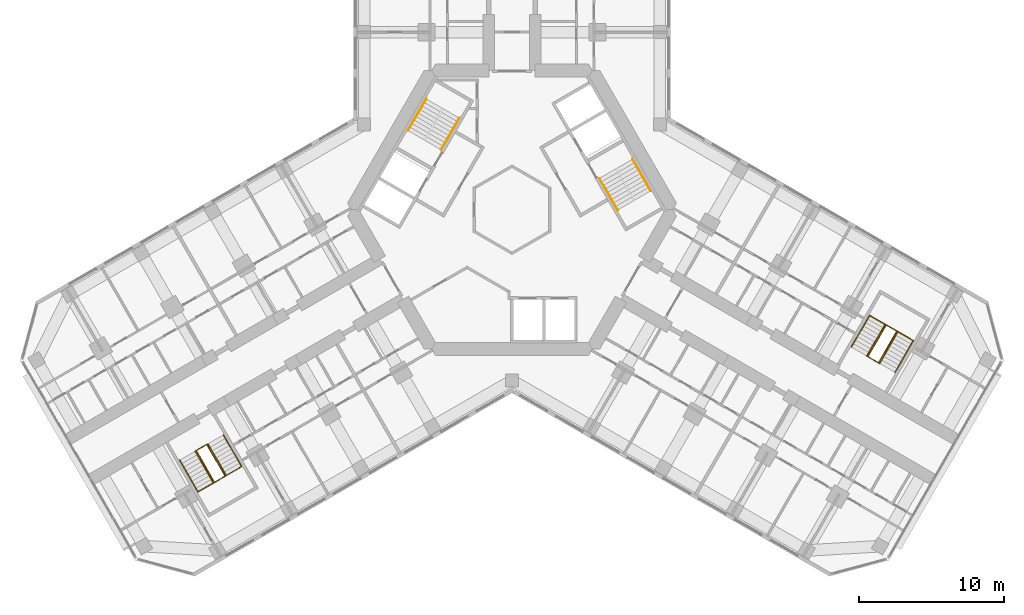
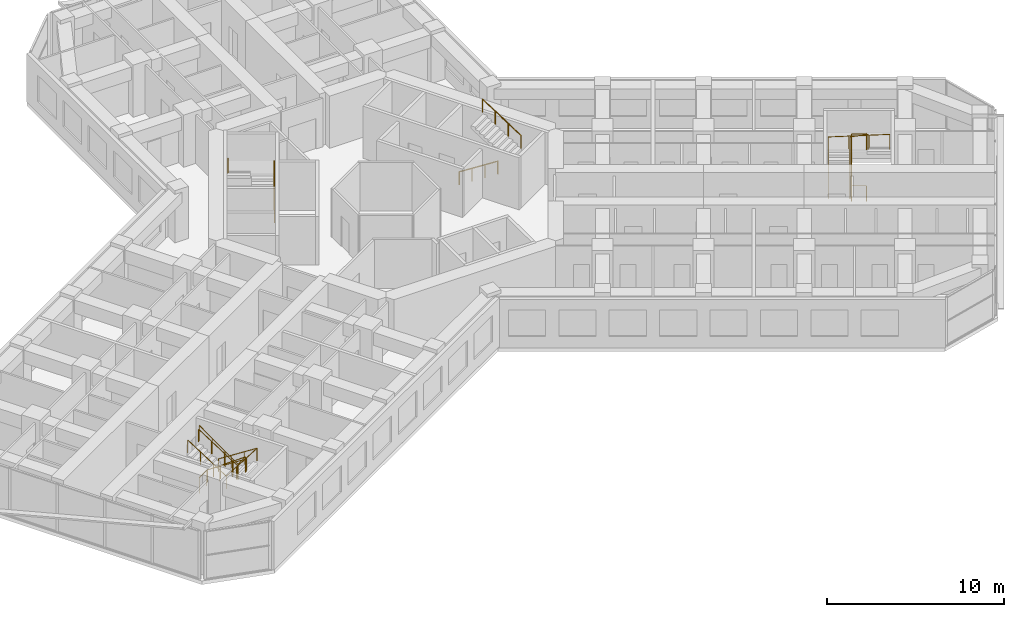
# One storey, part 20 of 20: 10 railings.
"""IFC4 building model written with IfcOpenShell, lengths in metres."""

from ifc_helpers import new_model, si_unit, direction, frame, origin, origin_2d, place, context, subcontext, project, spatial, circle, extrude, material, type_object, element, save


model = new_model("IFC4")

# Units and contexts
model_context = context("Model", 3, precision=1e-05, world=origin(), true_north=direction((0.0, 1.0)))
body_context = subcontext(model_context, "Body", "Model", "MODEL_VIEW")
ifc_project = project(units=[si_unit("LENGTHUNIT", "METRE"), si_unit("AREAUNIT", "SQUARE_METRE"), si_unit("VOLUMEUNIT", "CUBIC_METRE"), si_unit("PLANEANGLEUNIT", "RADIAN"), si_unit("MASSUNIT", "GRAM", prefix="KILO")], contexts=[model_context])

# Site, building, storey
site_placement = place(None, origin())
site = spatial("IfcSite", under=ifc_project, at=site_placement, CompositionType="ELEMENT")
building_placement = place(site_placement, origin())
building = spatial("IfcBuilding", under=site, at=building_placement, Name="Kosmar Iwan School Tower", CompositionType="ELEMENT")
storey_placement = place(building_placement, frame((0.0, 0.0, 176.0)))
storey = spatial("IfcBuildingStorey", under=building, at=storey_placement, Name="L44", CompositionType="ELEMENT", Elevation=176.0)

# Railings
ifc_material_1 = material(Name="Black steel", Category="steel")
railing_type_1 = type_object("IfcRailingType", Name="Stair handrail 900", PredefinedType="HANDRAIL", material=ifc_material_1)
railing_1_placement = place(storey_placement, frame((-4.89453125, 4.142333984375, 0.179931640625)))
element("IfcRailing", 1, at=railing_1_placement, inside=storey, type_object=railing_type_1, Name="Handrail ST2 flight 1", PredefinedType="HANDRAIL", context=body_context, shape_type="SweptSolid", body=[
    extrude(circle(Radius=0.02392578125, at=origin_2d()), frame((0.0, 0.0, 0.8759765625), z_axis=(0.420584145978, 0.728463801763, 0.540785970299), x_axis=(-0.866022637375, 0.500004791531, 0.0)), (0.0, 0.0, 1.0), 2.995849609375),
    extrude(circle(Radius=0.02099609375, at=origin_2d()), origin(), (0.0, 0.0, 1.0), 0.851806640625),
    extrude(circle(Radius=0.02099609375, at=origin_2d()), frame((0.419921875, 0.7275390625, 0.5400390625)), (0.0, 0.0, 1.0), 0.851806640625),
    extrude(circle(Radius=0.02099609375, at=origin_2d()), frame((0.840087890625, 1.454833984375, 1.080078125)), (0.0, 0.0, 1.0), 0.851806640625),
    extrude(circle(Radius=0.02099609375, at=origin_2d()), frame((1.260009765625, 2.182373046875, 1.6201171875)), (0.0, 0.0, 1.0), 0.851806640625),
])
railing_2_placement = place(storey_placement, frame((-5.912353515625, 7.6396484375, 1.97998046875)))
element("IfcRailing", 2, at=railing_2_placement, inside=storey, type_object=railing_type_1, Name="Handrail ST2 flight 2", PredefinedType="HANDRAIL", context=body_context, shape_type="SweptSolid", body=[
    extrude(circle(Radius=0.02392578125, at=origin_2d()), frame((0.0, 0.0, 0.8759765625), z_axis=(-0.420584145978, -0.728463801763, 0.540785970299), x_axis=(0.866022637375, -0.500004791531, 0.0)), (0.0, 0.0, 1.0), 2.995849609375),
    extrude(circle(Radius=0.02099609375, at=origin_2d()), origin(), (0.0, 0.0, 1.0), 0.851806640625),
    extrude(circle(Radius=0.02099609375, at=origin_2d()), frame((-0.419921875, -0.7275390625, 0.5400390625)), (0.0, 0.0, 1.0), 0.851806640625),
    extrude(circle(Radius=0.02099609375, at=origin_2d()), frame((-0.840087890625, -1.454833984375, 1.080078125)), (0.0, 0.0, 1.0), 0.851806640625),
    extrude(circle(Radius=0.02099609375, at=origin_2d()), frame((-1.260009765625, -2.182373046875, 1.6201171875)), (0.0, 0.0, 1.0), 0.851806640625),
])
railing_3_placement = place(storey_placement, frame((6.03466796875, 2.167724609375, 0.179931640625)))
element("IfcRailing", 3, at=railing_3_placement, inside=storey, type_object=railing_type_1, Name="Handrail ST1 flight 1", PredefinedType="HANDRAIL", context=body_context, shape_type="SweptSolid", body=[
    extrude(circle(Radius=0.02392578125, at=origin_2d()), frame((0.0, 0.0, 0.8759765625), z_axis=(0.420584145978, -0.728463801763, 0.540785970299), x_axis=(0.866022637375, 0.500004791531, 0.0)), (0.0, 0.0, 1.0), 2.995849609375),
    extrude(circle(Radius=0.02099609375, at=origin_2d()), origin(), (0.0, 0.0, 1.0), 0.851806640625),
    extrude(circle(Radius=0.02099609375, at=origin_2d()), frame((0.419921875, -0.7275390625, 0.5400390625)), (0.0, 0.0, 1.0), 0.851806640625),
    extrude(circle(Radius=0.02099609375, at=origin_2d()), frame((0.840087890625, -1.454833984375, 1.080078125)), (0.0, 0.0, 1.0), 0.851806640625),
    extrude(circle(Radius=0.02099609375, at=origin_2d()), frame((1.260009765625, -2.182373046875, 1.6201171875)), (0.0, 0.0, 1.0), 0.851806640625),
])
railing_4_placement = place(storey_placement, frame((9.572265625, 1.30029296875, 1.97998046875)))
element("IfcRailing", 4, at=railing_4_placement, inside=storey, type_object=railing_type_1, Name="Handrail ST1 flight 2", PredefinedType="HANDRAIL", context=body_context, shape_type="SweptSolid", body=[
    extrude(circle(Radius=0.02392578125, at=origin_2d()), frame((0.0, 0.0, 0.8759765625), z_axis=(-0.420584145978, 0.728463801763, 0.540785970299), x_axis=(-0.866022637375, -0.500004791531, 0.0)), (0.0, 0.0, 1.0), 2.995849609375),
    extrude(circle(Radius=0.02099609375, at=origin_2d()), origin(), (0.0, 0.0, 1.0), 0.851806640625),
    extrude(circle(Radius=0.02099609375, at=origin_2d()), frame((-0.419921875, 0.7275390625, 0.5400390625)), (0.0, 0.0, 1.0), 0.851806640625),
    extrude(circle(Radius=0.02099609375, at=origin_2d()), frame((-0.840087890625, 1.454833984375, 1.080078125)), (0.0, 0.0, 1.0), 0.851806640625),
    extrude(circle(Radius=0.02099609375, at=origin_2d()), frame((-1.260009765625, 2.182373046875, 1.6201171875)), (0.0, 0.0, 1.0), 0.851806640625),
])
railing_5_placement = place(storey_placement, frame((-19.9091796875, -15.5361328125, 0.179931640625)))
element("IfcRailing", 5, at=railing_5_placement, inside=storey, type_object=railing_type_1, Name="Handrail stair WS2 L44 wall side", PredefinedType="HANDRAIL", context=body_context, shape_type="SweptSolid", body=[
    extrude(circle(Radius=0.02392578125, at=origin_2d()), frame((0.0, 0.0, 0.8759765625), z_axis=(0.420517065106, -0.728488768407, 0.540804504659), x_axis=(0.866064587494, 0.499932125682, 0.0)), (0.0, 0.0, 1.0), 2.995849609375),
    extrude(circle(Radius=0.02392578125, at=origin_2d()), frame((1.259765625, -2.182373046875, 2.49609375), z_axis=(-0.864864352349, -0.499342858003, 0.051636829851), x_axis=(0.500009906705, -0.86601968407, 0.0)), (0.0, 0.0, 1.0), 3.484619140625),
    extrude(circle(Radius=0.02392578125, at=origin_2d()), frame((-1.75390625, -3.92236328125, 2.67578125), z_axis=(-0.420584145978, 0.728463801763, 0.540785970299), x_axis=(-0.866022637375, -0.500004791531, 0.0)), (0.0, 0.0, 1.0), 2.995849609375),
    extrude(circle(Radius=0.02099609375, at=origin_2d()), origin(), (0.0, 0.0, 1.0), 0.851806640625),
    extrude(circle(Radius=0.02099609375, at=origin_2d()), frame((0.419921875, -0.7275390625, 0.5400390625)), (0.0, 0.0, 1.0), 0.851806640625),
    extrude(circle(Radius=0.02099609375, at=origin_2d()), frame((0.83984375, -1.454833984375, 1.080078125)), (0.0, 0.0, 1.0), 0.851806640625),
    extrude(circle(Radius=0.02099609375, at=origin_2d()), frame((1.259765625, -2.182373046875, 1.6201171875)), (0.0, 0.0, 1.0), 0.851806640625),
    extrude(circle(Radius=0.02099609375, at=origin_2d()), frame((0.255126953125, -2.762451171875, 1.68017578125)), (0.0, 0.0, 1.0), 0.851806640625),
    extrude(circle(Radius=0.02099609375, at=origin_2d()), frame((-0.749267578125, -3.34228515625, 1.739990234375)), (0.0, 0.0, 1.0), 0.851806640625),
    extrude(circle(Radius=0.02099609375, at=origin_2d()), frame((-1.75390625, -3.92236328125, 1.800048828125)), (0.0, 0.0, 1.0), 0.851806640625),
    extrude(circle(Radius=0.02099609375, at=origin_2d()), frame((-2.173828125, -3.19482421875, 2.340087890625)), (0.0, 0.0, 1.0), 0.851806640625),
    extrude(circle(Radius=0.02099609375, at=origin_2d()), frame((-2.593994140625, -2.467529296875, 2.880126953125)), (0.0, 0.0, 1.0), 0.851806640625),
    extrude(circle(Radius=0.02099609375, at=origin_2d()), frame((-3.013916015625, -1.739990234375, 3.420166015625)), (0.0, 0.0, 1.0), 0.851806640625),
])
railing_6_placement = place(storey_placement, frame((-20.974609375, -16.151123046875, 0.179931640625)))
element("IfcRailing", 6, at=railing_6_placement, inside=storey, type_object=railing_type_1, Name="Handrail stair WS2 L44 well side", PredefinedType="HANDRAIL", context=body_context, shape_type="SweptSolid", body=[
    extrude(circle(Radius=0.02392578125, at=origin_2d()), frame((0.0, 0.0, 0.8759765625), z_axis=(0.420584145978, -0.728463801763, 0.540785970299), x_axis=(0.866022637375, 0.500004791531, 0.0)), (0.0, 0.0, 1.0), 2.995849609375),
    extrude(circle(Radius=0.02392578125, at=origin_2d()), frame((1.260009765625, -2.182373046875, 2.49609375), z_axis=(-0.852841519511, -0.492422867401, 0.173726976197), x_axis=(0.500026340207, -0.866010195725, 0.0)), (0.0, 0.0, 1.0), 1.03564453125),
    extrude(circle(Radius=0.02392578125, at=origin_2d()), frame((0.376708984375, -2.6923828125, 2.67578125), z_axis=(-0.420584145978, 0.728463801763, 0.540785970299), x_axis=(-0.866022637375, -0.500004791531, 0.0)), (0.0, 0.0, 1.0), 2.995849609375),
    extrude(circle(Radius=0.02099609375, at=origin_2d()), origin(), (0.0, 0.0, 1.0), 0.851806640625),
    extrude(circle(Radius=0.02099609375, at=origin_2d()), frame((0.419921875, -0.7275390625, 0.5400390625)), (0.0, 0.0, 1.0), 0.851806640625),
    extrude(circle(Radius=0.02099609375, at=origin_2d()), frame((0.840087890625, -1.454833984375, 1.080078125)), (0.0, 0.0, 1.0), 0.851806640625),
    extrude(circle(Radius=0.02099609375, at=origin_2d()), frame((1.260009765625, -2.182373046875, 1.6201171875)), (0.0, 0.0, 1.0), 0.851806640625),
    extrude(circle(Radius=0.02099609375, at=origin_2d()), frame((0.376708984375, -2.6923828125, 1.800048828125)), (0.0, 0.0, 1.0), 0.851806640625),
    extrude(circle(Radius=0.02099609375, at=origin_2d()), frame((-0.043212890625, -1.96484375, 2.340087890625)), (0.0, 0.0, 1.0), 0.851806640625),
    extrude(circle(Radius=0.02099609375, at=origin_2d()), frame((-0.46337890625, -1.237548828125, 2.880126953125)), (0.0, 0.0, 1.0), 0.851806640625),
    extrude(circle(Radius=0.02099609375, at=origin_2d()), frame((-0.88330078125, -0.510009765625, 3.420166015625)), (0.0, 0.0, 1.0), 0.851806640625),
])
railing_7_placement = place(storey_placement, frame((23.4091796875, -9.473876953125, 0.179931640625)))
element("IfcRailing", 7, at=railing_7_placement, inside=storey, type_object=railing_type_1, Name="Handrail stair WS3 L44 wall side", PredefinedType="HANDRAIL", context=body_context, shape_type="SweptSolid", body=[
    extrude(circle(Radius=0.02392578125, at=origin_2d()), frame((0.0, 0.0, 0.8759765625), z_axis=(0.420584145978, 0.728463801763, 0.540785970299), x_axis=(-0.866022637375, 0.500004791531, 0.0)), (0.0, 0.0, 1.0), 2.995849609375),
    extrude(circle(Radius=0.02392578125, at=origin_2d()), frame((1.260009765625, 2.182373046875, 2.49609375), z_axis=(0.864882007433, -0.499312601618, 0.051633701051), x_axis=(0.499979528911, 0.866037222451, 0.0)), (0.0, 0.0, 1.0), 3.48486328125),
    extrude(circle(Radius=0.02392578125, at=origin_2d()), frame((4.27392578125, 0.4423828125, 2.67578125), z_axis=(-0.420584145978, -0.728463801763, 0.540785970299), x_axis=(0.866022637375, -0.500004791531, 0.0)), (0.0, 0.0, 1.0), 2.995849609375),
    extrude(circle(Radius=0.02099609375, at=origin_2d()), origin(), (0.0, 0.0, 1.0), 0.851806640625),
    extrude(circle(Radius=0.02099609375, at=origin_2d()), frame((0.419921875, 0.7275390625, 0.5400390625)), (0.0, 0.0, 1.0), 0.851806640625),
    extrude(circle(Radius=0.02099609375, at=origin_2d()), frame((0.840087890625, 1.454833984375, 1.080078125)), (0.0, 0.0, 1.0), 0.851806640625),
    extrude(circle(Radius=0.02099609375, at=origin_2d()), frame((1.260009765625, 2.182373046875, 1.6201171875)), (0.0, 0.0, 1.0), 0.851806640625),
    extrude(circle(Radius=0.02099609375, at=origin_2d()), frame((2.2646484375, 1.602294921875, 1.68017578125)), (0.0, 0.0, 1.0), 0.851806640625),
    extrude(circle(Radius=0.02099609375, at=origin_2d()), frame((3.269287109375, 1.0224609375, 1.739990234375)), (0.0, 0.0, 1.0), 0.851806640625),
    extrude(circle(Radius=0.02099609375, at=origin_2d()), frame((4.27392578125, 0.4423828125, 1.800048828125)), (0.0, 0.0, 1.0), 0.851806640625),
    extrude(circle(Radius=0.02099609375, at=origin_2d()), frame((3.85400390625, -0.28515625, 2.340087890625)), (0.0, 0.0, 1.0), 0.851806640625),
    extrude(circle(Radius=0.02099609375, at=origin_2d()), frame((3.433837890625, -1.012451171875, 2.880126953125)), (0.0, 0.0, 1.0), 0.851806640625),
    extrude(circle(Radius=0.02099609375, at=origin_2d()), frame((3.013916015625, -1.739990234375, 3.420166015625)), (0.0, 0.0, 1.0), 0.851806640625),
])
railing_8_placement = place(storey_placement, frame((24.474609375, -10.0888671875, 0.179931640625)))
element("IfcRailing", 8, at=railing_8_placement, inside=storey, type_object=railing_type_1, Name="Handrail stair WS3 L44 well side", PredefinedType="HANDRAIL", context=body_context, shape_type="SweptSolid", body=[
    extrude(circle(Radius=0.02392578125, at=origin_2d()), frame((0.0, 0.0, 0.8759765625), z_axis=(0.420584145978, 0.728463801763, 0.540785970299), x_axis=(-0.866022637375, 0.500004791531, 0.0)), (0.0, 0.0, 1.0), 2.995849609375),
    extrude(circle(Radius=0.02392578125, at=origin_2d()), frame((1.260009765625, 2.182373046875, 2.49609375), z_axis=(0.852841519511, -0.492422867401, 0.173726976197), x_axis=(0.500026340207, 0.866010195725, 0.0)), (0.0, 0.0, 1.0), 1.03564453125),
    extrude(circle(Radius=0.02392578125, at=origin_2d()), frame((2.143310546875, 1.67236328125, 2.67578125), z_axis=(-0.420584145978, -0.728463801763, 0.540785970299), x_axis=(0.866022637375, -0.500004791531, 0.0)), (0.0, 0.0, 1.0), 2.995849609375),
    extrude(circle(Radius=0.02099609375, at=origin_2d()), origin(), (0.0, 0.0, 1.0), 0.851806640625),
    extrude(circle(Radius=0.02099609375, at=origin_2d()), frame((0.419921875, 0.7275390625, 0.5400390625)), (0.0, 0.0, 1.0), 0.851806640625),
    extrude(circle(Radius=0.02099609375, at=origin_2d()), frame((0.840087890625, 1.454833984375, 1.080078125)), (0.0, 0.0, 1.0), 0.851806640625),
    extrude(circle(Radius=0.02099609375, at=origin_2d()), frame((1.260009765625, 2.182373046875, 1.6201171875)), (0.0, 0.0, 1.0), 0.851806640625),
    extrude(circle(Radius=0.02099609375, at=origin_2d()), frame((2.143310546875, 1.67236328125, 1.800048828125)), (0.0, 0.0, 1.0), 0.851806640625),
    extrude(circle(Radius=0.02099609375, at=origin_2d()), frame((1.723388671875, 0.94482421875, 2.340087890625)), (0.0, 0.0, 1.0), 0.851806640625),
    extrude(circle(Radius=0.02099609375, at=origin_2d()), frame((1.30322265625, 0.217529296875, 2.880126953125)), (0.0, 0.0, 1.0), 0.851806640625),
    extrude(circle(Radius=0.02099609375, at=origin_2d()), frame((0.88330078125, -0.510009765625, 3.420166015625)), (0.0, 0.0, 1.0), 0.851806640625),
])
ifc_material_2 = material(Name="Black steel", Category="steel")
railing_type_2 = type_object("IfcRailingType", Name="Stair well guard 1100", PredefinedType="GUARDRAIL", material=ifc_material_2)
railing_9_placement = place(storey_placement, frame((-21.780029296875, -16.6162109375, 0.0)))
element("IfcRailing", 9, at=railing_9_placement, inside=storey, type_object=railing_type_2, Name="Stair WS2 L44 well guard", PredefinedType="GUARDRAIL", context=body_context, shape_type="SweptSolid", body=[
    extrude(circle(Radius=0.02392578125, at=origin_2d()), frame((0.0, 0.0, 1.076171875), z_axis=(0.865962960534, 0.500108139288, 0.0), x_axis=(-0.500108139288, 0.865962960534, 0.0)), (0.0, 0.0, 1.0), 0.840087890625),
    extrude(circle(Radius=0.02392578125, at=origin_2d()), frame((0.7275390625, 0.420166015625, 1.076171875), z_axis=(0.40686665399, -0.704704712268, 0.58124933925), x_axis=(0.866022637375, 0.500004791531, 0.0)), (0.0, 0.0, 1.0), 3.096923828125),
    extrude(circle(Radius=0.02392578125, at=origin_2d()), frame((1.987548828125, -1.76220703125, 2.8759765625), z_axis=(-0.865962960534, -0.500108139288, 0.0), x_axis=(0.500108139288, -0.865962960534, 0.0)), (0.0, 0.0, 1.0), 0.840087890625),
    extrude(circle(Radius=0.02392578125, at=origin_2d()), frame((1.260009765625, -2.182373046875, 2.8759765625), z_axis=(-0.40686665399, 0.704704712268, 0.58124933925), x_axis=(-0.866022637375, -0.500004791531, 0.0)), (0.0, 0.0, 1.0), 3.096923828125),
    extrude(circle(Radius=0.02099609375, at=origin_2d()), origin(), (0.0, 0.0, 1.0), 1.052001953125),
    extrude(circle(Radius=0.02099609375, at=origin_2d()), frame((0.7275390625, 0.420166015625, 0.0)), (0.0, 0.0, 1.0), 1.052001953125),
    extrude(circle(Radius=0.02099609375, at=origin_2d()), frame((1.1474609375, -0.307373046875, 0.60009765625)), (0.0, 0.0, 1.0), 1.052001953125),
    extrude(circle(Radius=0.02099609375, at=origin_2d()), frame((1.567626953125, -1.03466796875, 1.199951171875)), (0.0, 0.0, 1.0), 1.052001953125),
    extrude(circle(Radius=0.02099609375, at=origin_2d()), frame((1.987548828125, -1.76220703125, 1.800048828125)), (0.0, 0.0, 1.0), 1.052001953125),
    extrude(circle(Radius=0.02099609375, at=origin_2d()), frame((1.260009765625, -2.182373046875, 1.800048828125)), (0.0, 0.0, 1.0), 1.052001953125),
    extrude(circle(Radius=0.02099609375, at=origin_2d()), frame((0.840087890625, -1.454833984375, 2.400146484375)), (0.0, 0.0, 1.0), 1.052001953125),
    extrude(circle(Radius=0.02099609375, at=origin_2d()), frame((0.419921875, -0.7275390625, 3.0)), (0.0, 0.0, 1.0), 1.052001953125),
    extrude(circle(Radius=0.02099609375, at=origin_2d()), frame((0.0, 0.0, 3.60009765625)), (0.0, 0.0, 1.0), 1.052001953125),
])
railing_10_placement = place(storey_placement, frame((25.280029296875, -10.553955078125, 0.0)))
element("IfcRailing", 10, at=railing_10_placement, inside=storey, type_object=railing_type_2, Name="Stair WS3 L44 well guard", PredefinedType="GUARDRAIL", context=body_context, shape_type="SweptSolid", body=[
    extrude(circle(Radius=0.02392578125, at=origin_2d()), frame((0.0, 0.0, 1.076171875), z_axis=(-0.865962960534, 0.500108139288, 0.0), x_axis=(-0.500108139288, -0.865962960534, 0.0)), (0.0, 0.0, 1.0), 0.840087890625),
    extrude(circle(Radius=0.02392578125, at=origin_2d()), frame((-0.7275390625, 0.420166015625, 1.076171875), z_axis=(0.40686665399, 0.704704712268, 0.58124933925), x_axis=(-0.866022637375, 0.500004791531, 0.0)), (0.0, 0.0, 1.0), 3.096923828125),
    extrude(circle(Radius=0.02392578125, at=origin_2d()), frame((0.532470703125, 2.6025390625, 2.8759765625), z_axis=(0.865890253765, -0.500234013672, 0.0), x_axis=(0.500234013672, 0.865890253765, 0.0)), (0.0, 0.0, 1.0), 0.83984375),
    extrude(circle(Radius=0.02392578125, at=origin_2d()), frame((1.259765625, 2.182373046875, 2.8759765625), z_axis=(-0.406800866334, -0.70472731476, 0.58126798207), x_axis=(0.866064587494, -0.499932125682, 0.0)), (0.0, 0.0, 1.0), 3.0966796875),
    extrude(circle(Radius=0.02099609375, at=origin_2d()), origin(), (0.0, 0.0, 1.0), 1.052001953125),
    extrude(circle(Radius=0.02099609375, at=origin_2d()), frame((-0.7275390625, 0.420166015625, 0.0)), (0.0, 0.0, 1.0), 1.052001953125),
    extrude(circle(Radius=0.02099609375, at=origin_2d()), frame((-0.3076171875, 1.147705078125, 0.60009765625)), (0.0, 0.0, 1.0), 1.052001953125),
    extrude(circle(Radius=0.02099609375, at=origin_2d()), frame((0.112548828125, 1.875, 1.199951171875)), (0.0, 0.0, 1.0), 1.052001953125),
    extrude(circle(Radius=0.02099609375, at=origin_2d()), frame((0.532470703125, 2.6025390625, 1.800048828125)), (0.0, 0.0, 1.0), 1.052001953125),
    extrude(circle(Radius=0.02099609375, at=origin_2d()), frame((1.259765625, 2.182373046875, 1.800048828125)), (0.0, 0.0, 1.0), 1.052001953125),
    extrude(circle(Radius=0.02099609375, at=origin_2d()), frame((0.83984375, 1.454833984375, 2.400146484375)), (0.0, 0.0, 1.0), 1.052001953125),
    extrude(circle(Radius=0.02099609375, at=origin_2d()), frame((0.419921875, 0.7275390625, 3.0)), (0.0, 0.0, 1.0), 1.052001953125),
    extrude(circle(Radius=0.02099609375, at=origin_2d()), frame((0.0, 0.0, 3.60009765625)), (0.0, 0.0, 1.0), 1.052001953125),
])

save(model, "model.ifc")
